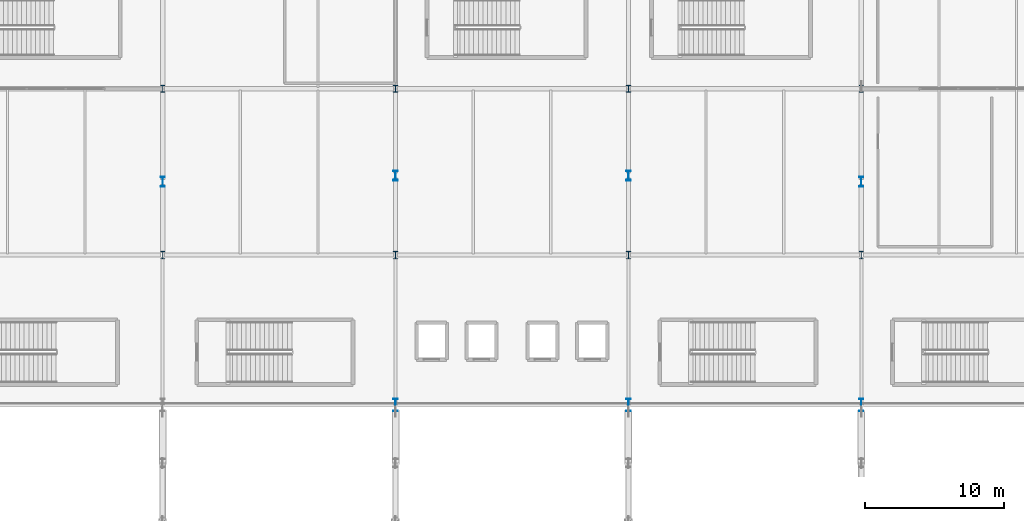
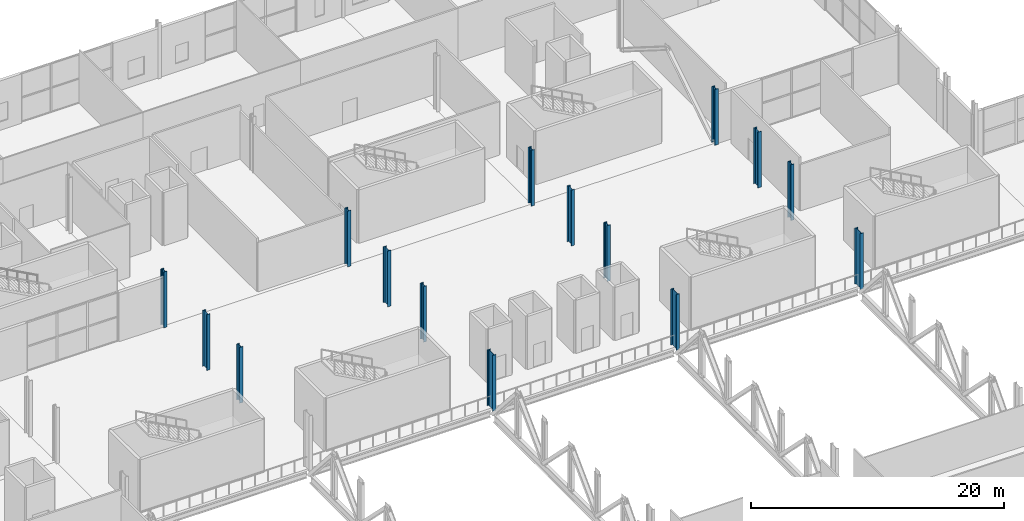
# One storey, part 7 of 84: 15 columns.
"""IFC4 building model written with IfcOpenShell, lengths in metres."""

from ifc_helpers import new_model, si_unit, direction, frame, origin, origin_2d, place, context, subcontext, project, spatial, i_section, extrude, material, material_profile, profile_set, type_object, element, save


model = new_model("IFC4")

# Units and contexts
model_context = context("Model", 3, precision=1e-05, world=origin(), true_north=direction((0.0, 1.0)))
body_context = subcontext(model_context, "Body", "Model", "MODEL_VIEW")
ifc_project = project(units=[si_unit("LENGTHUNIT", "METRE"), si_unit("AREAUNIT", "SQUARE_METRE"), si_unit("VOLUMEUNIT", "CUBIC_METRE"), si_unit("PLANEANGLEUNIT", "RADIAN"), si_unit("MASSUNIT", "GRAM", prefix="KILO")], contexts=[model_context])

# Site, building, storey
site_placement = place(None, origin())
site = spatial("IfcSite", under=ifc_project, at=site_placement, CompositionType="ELEMENT")
building_placement = place(site_placement, origin())
building = spatial("IfcBuilding", under=site, at=building_placement, Name="Kimbaza Rail Terminus", CompositionType="ELEMENT")
storey_placement = place(building_placement, frame((0.0, 0.0, 5.39990234375)))
storey = spatial("IfcBuildingStorey", under=building, at=storey_placement, Name="L01", CompositionType="ELEMENT", Elevation=5.39990234375)

# Columns
ifc_material_1 = material(Name="Steel S355", Category="steel")
ifc_material_profile_1 = material_profile(ifc_material_1, i_section(OverallWidth=0.300048828125, OverallDepth=0.550048828125, WebThickness=0.014892578125, FlangeThickness=0.029052734375, FilletRadius=0.027099609375, at=origin_2d()), Name="HEB 550")
ifc_profile_set_1 = profile_set([ifc_material_profile_1], Name="Steel S355")
column_type_1 = type_object("IfcColumnType", Name="STR-COL-HEB550", PredefinedType="COLUMN", material=ifc_profile_set_1)
for number, where, z_axis, x_axis, name in (
    (1, (88.800048828125, 91.0, 0.0), (0.0, 0.0, 1.0), (1.0, 0.0, 0.0), "North Transfer Pier L01 (2,1)"),
    (2, (105.60009765625, 91.0, 0.0), (0.0, 0.0, 1.0), (1.0, 0.0, 0.0), "North Transfer Pier L01 (3,1)"),
    (3, (122.39990234375, 91.0, 0.0), (0.0, 0.0, 1.0), (1.0, 0.0, 0.0), "North Transfer Pier L01 (4,1)"),
    (4, (139.199951171875, 91.0, 0.0), (0.0, 0.0, 1.0), (1.0, 0.0, 0.0), "North Transfer Pier L01 (5,1)"),
):
    element("IfcColumn", number, at=place(storey_placement, frame(where, z_axis=z_axis, x_axis=x_axis)), inside=storey, type_object=column_type_1, Name=name, PredefinedType="COLUMN", context=body_context, shape_type="SweptSolid", body=[
        extrude(i_section(OverallWidth=0.300048828125, OverallDepth=0.550048828125, WebThickness=0.014892578125, FlangeThickness=0.029052734375, FilletRadius=0.027099609375, at=origin_2d()), origin(), (0.0, 0.0, 1.0), 5.400146484375),
    ])
ifc_material_2 = material(Name="Steel S355", Category="steel")
ifc_material_profile_2 = material_profile(ifc_material_2, i_section(OverallWidth=0.305908203125, OverallDepth=0.52392578125, WebThickness=0.02099609375, FlangeThickness=0.0400390625, FilletRadius=0.027099609375, at=origin_2d()), Name="HEM 500")
ifc_profile_set_2 = profile_set([ifc_material_profile_2], Name="Steel S355")
column_type_2 = type_object("IfcColumnType", Name="STR-COL-HEM500", PredefinedType="COLUMN", material=ifc_profile_set_2)
for number, where, z_axis, x_axis, name in (
    (5, (88.800048828125, 103.0, 0.0), (0.0, 0.0, 1.0), (1.0, 0.0, 0.0), "Operations Column L01 (2,0)"),
    (6, (105.60009765625, 103.0, 0.0), (0.0, 0.0, 1.0), (1.0, 0.0, 0.0), "Operations Column L01 (3,0)"),
    (7, (122.39990234375, 103.0, 0.0), (0.0, 0.0, 1.0), (1.0, 0.0, 0.0), "Operations Column L01 (4,0)"),
    (8, (139.199951171875, 103.0, 0.0), (0.0, 0.0, 1.0), (1.0, 0.0, 0.0), "Operations Column L01 (5,0)"),
):
    element("IfcColumn", number, at=place(storey_placement, frame(where, z_axis=z_axis, x_axis=x_axis)), inside=storey, type_object=column_type_2, Name=name, PredefinedType="COLUMN", context=body_context, shape_type="SweptSolid", body=[
        extrude(i_section(OverallWidth=0.305908203125, OverallDepth=0.52392578125, WebThickness=0.02099609375, FlangeThickness=0.0400390625, FilletRadius=0.027099609375, at=origin_2d()), origin(), (0.0, 0.0, 1.0), 5.400146484375),
    ])
ifc_material_3 = material(Name="Steel S355", Category="steel")
ifc_material_profile_3 = material_profile(ifc_material_3, i_section(OverallWidth=0.303955078125, OverallDepth=0.716064453125, WebThickness=0.02099609375, FlangeThickness=0.0400390625, FilletRadius=0.027099609375, at=origin_2d()), Name="HEM 700")
ifc_profile_set_3 = profile_set([ifc_material_profile_3], Name="Steel S355")
column_type_3 = type_object("IfcColumnType", Name="STR-COL-HEM700", PredefinedType="COLUMN", material=ifc_profile_set_3)
for number, where, z_axis, x_axis, name in (
    (9, (88.800048828125, 96.28759765625, 0.0), (0.0, 0.0, 1.0), (1.0, 0.0, 0.0), "North Vault Springing Pier L01 VP-05"),
    (10, (105.60009765625, 96.7431640625, 0.0), (0.0, 0.0, 1.0), (1.0, 0.0, 0.0), "North Vault Springing Pier L01 VP-06"),
    (11, (122.39990234375, 96.7431640625, 0.0), (0.0, 0.0, 1.0), (1.0, 0.0, 0.0), "North Vault Springing Pier L01 VP-07"),
    (12, (139.199951171875, 96.28759765625, 0.0), (0.0, 0.0, 1.0), (1.0, 0.0, 0.0), "North Vault Springing Pier L01 VP-08"),
):
    element("IfcColumn", number, at=place(storey_placement, frame(where, z_axis=z_axis, x_axis=x_axis)), inside=storey, type_object=column_type_3, Name=name, PredefinedType="COLUMN", context=body_context, shape_type="SweptSolid", body=[
        extrude(i_section(OverallWidth=0.303955078125, OverallDepth=0.716064453125, WebThickness=0.02099609375, FlangeThickness=0.0400390625, FilletRadius=0.027099609375, at=origin_2d()), origin(), (0.0, 0.0, 1.0), 5.400146484375),
    ])
ifc_material_4 = material(Name="Steel S355", Category="steel")
ifc_material_profile_4 = material_profile(ifc_material_4, i_section(OverallWidth=0.302001953125, OverallDepth=0.909912109375, WebThickness=0.02099609375, FlangeThickness=0.0400390625, FilletRadius=0.030029296875, at=origin_2d()), Name="HEM 900")
ifc_profile_set_4 = profile_set([ifc_material_profile_4], Name="Steel S355")
column_type_4 = type_object("IfcColumnType", Name="STR-COL-HEM900", PredefinedType="COLUMN", material=ifc_profile_set_4)
for number, where, z_axis, x_axis, name in (
    (13, (105.60009765625, 80.199951171875, 0.0), (0.0, 0.0, 1.0), (1.0, 0.0, 0.0), "North Transfer Pier L01 (3,0)"),
    (14, (122.39990234375, 80.199951171875, 0.0), (0.0, 0.0, 1.0), (1.0, 0.0, 0.0), "North Transfer Pier L01 (4,0)"),
    (15, (139.199951171875, 80.199951171875, 0.0), (0.0, 0.0, 1.0), (1.0, 0.0, 0.0), "North Transfer Pier L01 (5,0)"),
):
    element("IfcColumn", number, at=place(storey_placement, frame(where, z_axis=z_axis, x_axis=x_axis)), inside=storey, type_object=column_type_4, Name=name, PredefinedType="COLUMN", context=body_context, shape_type="SweptSolid", body=[
        extrude(i_section(OverallWidth=0.302001953125, OverallDepth=0.909912109375, WebThickness=0.02099609375, FlangeThickness=0.0400390625, FilletRadius=0.030029296875, at=origin_2d()), origin(), (0.0, 0.0, 1.0), 5.400146484375),
    ])

save(model, "model.ifc")
